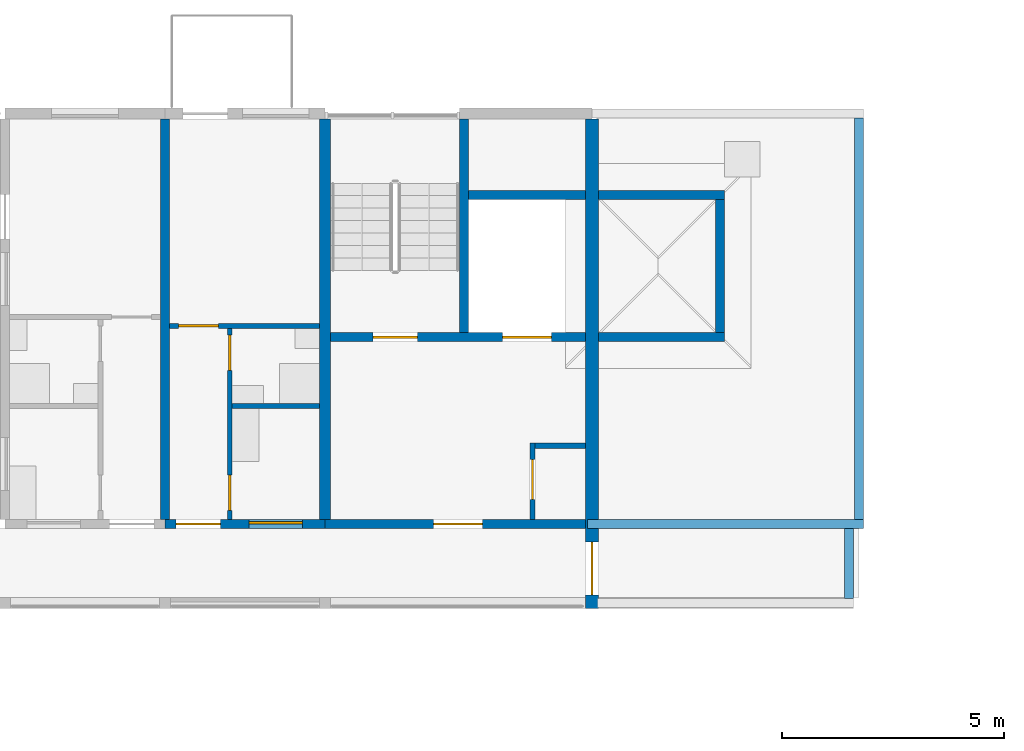
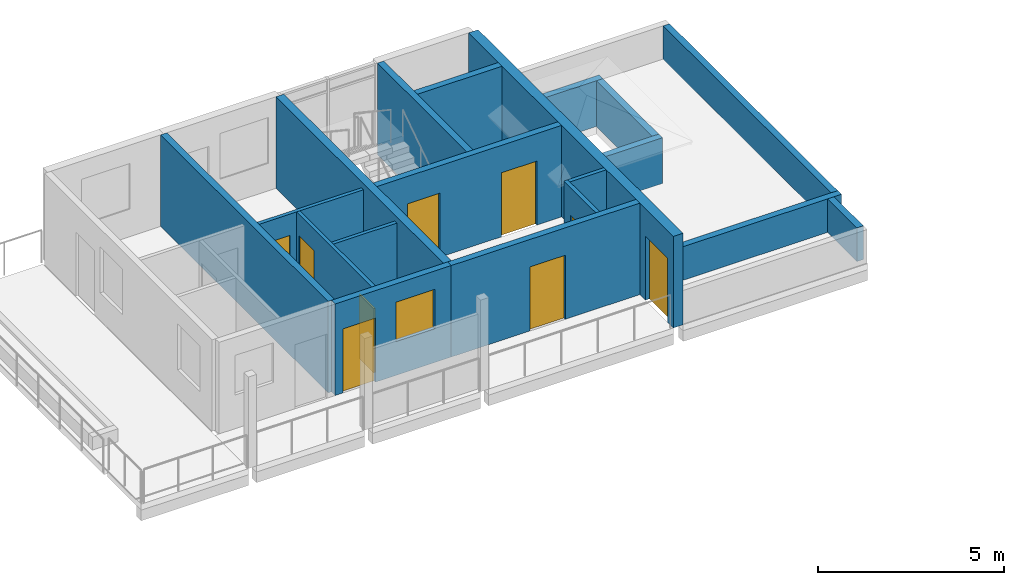
# One storey, part 49 of 78: 19 walls, 9 doors, 1 window, 10 openings.
"""IFC4 building model written with IfcOpenShell, lengths in metres."""

from ifc_helpers import new_model, si_unit, direction, frame, frame_2d, origin, place, context, subcontext, project, spatial, rectangle, extrude, material, layer, layer_set, type_object, element, fill, save


model = new_model("IFC4")

# Units and contexts
model_context = context("Model", 3, precision=1e-05, world=origin(), true_north=direction((0.0, 1.0)))
body_context = subcontext(model_context, "Body", "Model", "MODEL_VIEW")
ifc_project = project(units=[si_unit("LENGTHUNIT", "METRE"), si_unit("AREAUNIT", "SQUARE_METRE"), si_unit("VOLUMEUNIT", "CUBIC_METRE"), si_unit("PLANEANGLEUNIT", "RADIAN"), si_unit("MASSUNIT", "GRAM", prefix="KILO")], contexts=[model_context])

# Site, building, storey
site_placement = place(None, origin())
site = spatial("IfcSite", under=ifc_project, at=site_placement, CompositionType="ELEMENT")
building_placement = place(site_placement, origin())
building = spatial("IfcBuilding", under=site, at=building_placement, Name="Ridgestep Commons", CompositionType="ELEMENT")
storey_placement = place(building_placement, frame((0.0, 0.0, 30.0)))
storey = spatial("IfcBuildingStorey", under=building, at=storey_placement, Name="L10", CompositionType="ELEMENT", Elevation=30.0)

# Wall
ifc_material_1 = material(Name="Concrete C30/37", Category="concrete")
ifc_layer_1 = layer(ifc_material_1, 0.25)
ifc_layer_set_1 = layer_set([ifc_layer_1], Name="Core cross wall 250")
wall_type_1 = type_object("IfcWallType", Name="Core cross wall 250", PredefinedType="SHEAR", material=ifc_layer_set_1)
wall_1_placement = place(storey_placement, frame((224.800048828125, 68.0, 0.0), z_axis=(0.0, 0.0, 1.0), x_axis=(0.0, 1.0, 0.0)))
element("IfcWall", 1, at=wall_1_placement, inside=storey, type_object=wall_type_1, Name="Cross wall C-10-2248", PredefinedType="SHEAR", context=body_context, shape_type="SweptSolid", body=[
    extrude(rectangle(XDim=9.0, YDim=0.25, at=frame_2d((4.5, 0.0))), origin(), (0.0, 0.0, 1.0), 3.0),
])

# Wall, opening, door
ifc_material_2 = material(Name="Concrete C30/37", Category="concrete")
ifc_layer_2 = layer(ifc_material_2, 0.199951171875)
ifc_layer_set_2 = layer_set([ifc_layer_2], Name="Core south wall 200")
wall_type_2 = type_object("IfcWallType", Name="Core south wall 200", PredefinedType="SHEAR", material=ifc_layer_set_2)
wall_2_placement = place(storey_placement, frame((224.800048828125, 67.89990234375, 0.0), z_axis=(0.0, 0.0, 1.0), x_axis=(1.0, 0.0, 0.0)))
wall_2 = element("IfcWall", 2, at=wall_2_placement, inside=storey, type_object=wall_type_2, Name="Core south wall C5C L10", PredefinedType="SHEAR", context=body_context, shape_type="SweptSolid", body=[
    extrude(rectangle(XDim=5.849853515625, YDim=0.199951171875, at=frame_2d((2.9248046875, 0.0))), origin(), (0.0, 0.0, 1.0), 3.0),
])
opening_1_placement = place(wall_2_placement, frame((2.4375, 0.0, 0.0)))
opening_1 = element("IfcOpeningElement", 3, at=opening_1_placement, cuts=wall_2, Name="Opening C5C/10/1", PredefinedType="OPENING", context=body_context, shape_type="SweptSolid", body=[
    extrude(rectangle(XDim=1.10009765625, YDim=2.10009765625, at=frame_2d((0.550048828125, 1.050048828125))), frame((0.0, 0.10986328125, 0.0), z_axis=(0.0, -1.0, 0.0), x_axis=(1.0, 0.0, 0.0)), (0.0, 0.0, 1.0), 0.219970703125),
])
ifc_material_3 = material(Name="Steel fire door", Category="steel")
door_type_1 = type_object("IfcDoorType", Name="Lobby door 1100 x 2100 FD60", OperationType="NOTDEFINED", PredefinedType="DOOR", material=ifc_material_3)
door_1_placement = place(opening_1_placement, origin())
door_1 = element("IfcDoor", 4, at=door_1_placement, inside=storey, type_object=door_type_1, Name="Lobby door C5C/10/1", OperationType="SINGLE_SWING_LEFT", OverallHeight=2.10009765625, OverallWidth=1.10009765625, PredefinedType="DOOR", context=body_context, shape_type="SweptSolid", body=[
    extrude(rectangle(XDim=1.10009765625, YDim=2.10009765625, at=frame_2d((0.550048828125, 1.050048828125))), frame((0.0, 0.02490234375, 0.0), z_axis=(0.0, -1.0, 0.0), x_axis=(1.0, 0.0, 0.0)), (0.0, 0.0, 1.0), 0.050048828125),
])
fill(opening_1, door_1)

ifc_material_4 = material(Name="Concrete C30/37", Category="concrete")
ifc_layer_3 = layer(ifc_material_4, 0.1201171875)
ifc_layer_set_3 = layer_set([ifc_layer_3], Name="Core wall 120")
wall_type_3 = type_object("IfcWallType", Name="Core wall 120", PredefinedType="SHEAR", material=ifc_layer_set_3)
wall_3_placement = place(storey_placement, frame((229.4599609375, 68.0, 0.0), z_axis=(0.0, 0.0, 1.0), x_axis=(0.0, 1.0, 0.0)))
wall_3 = element("IfcWall", 5, at=wall_3_placement, inside=storey, type_object=wall_type_3, Name="Core riser w wall C5C L10", PredefinedType="SHEAR", context=body_context, shape_type="SweptSolid", body=[
    extrude(rectangle(XDim=1.719970703125, YDim=0.1201171875, at=frame_2d((0.85986328125, 0.0))), origin(), (0.0, 0.0, 1.0), 3.0),
])
opening_2_placement = place(wall_3_placement, frame((0.449951171875, 0.0, 0.0)))
opening_2 = element("IfcOpeningElement", 6, at=opening_2_placement, cuts=wall_3, Name="Opening C5C/10/4", PredefinedType="OPENING", context=body_context, shape_type="SweptSolid", body=[
    extrude(rectangle(XDim=0.89990234375, YDim=2.10009765625, at=frame_2d((0.449951171875, 1.050048828125))), frame((0.0, 0.070068359375, 0.0), z_axis=(0.0, -1.0, 0.0), x_axis=(1.0, 0.0, 0.0)), (0.0, 0.0, 1.0), 0.14013671875),
])
ifc_material_5 = material(Name="Steel fire door", Category="steel")
door_type_2 = type_object("IfcDoorType", Name="Riser door 900 x 2100 FD60", OperationType="NOTDEFINED", PredefinedType="DOOR", material=ifc_material_5)
door_2_placement = place(opening_2_placement, origin())
door_2 = element("IfcDoor", 7, at=door_2_placement, inside=storey, type_object=door_type_2, Name="Riser door C5C/10/4", OperationType="SINGLE_SWING_LEFT", OverallHeight=2.10009765625, OverallWidth=0.89990234375, PredefinedType="DOOR", context=body_context, shape_type="SweptSolid", body=[
    extrude(rectangle(XDim=0.89990234375, YDim=2.10009765625, at=frame_2d((0.449951171875, 1.050048828125))), frame((0.0, 0.02490234375, 0.0), z_axis=(0.0, -1.0, 0.0), x_axis=(1.0, 0.0, 0.0)), (0.0, 0.0, 1.0), 0.050048828125),
])
fill(opening_2, door_2)

# Wall
wall_4_placement = place(storey_placement, frame((229.52001953125, 69.659912109375, 0.0), z_axis=(0.0, 0.0, 1.0), x_axis=(1.0, 0.0, 0.0)))
element("IfcWall", 8, at=wall_4_placement, inside=storey, type_object=wall_type_3, Name="Core riser n wall C5C L10", PredefinedType="SHEAR", context=body_context, shape_type="SweptSolid", body=[
    extrude(rectangle(XDim=1.1298828125, YDim=0.1201171875, at=frame_2d((0.56494140625, 0.0))), origin(), (0.0, 0.0, 1.0), 3.0),
])

# Wall, openings, doors
ifc_material_6 = material(Name="Concrete C30/37", Category="concrete")
ifc_layer_4 = layer(ifc_material_6, 0.199951171875)
ifc_layer_set_4 = layer_set([ifc_layer_4], Name="Core wall 200")
wall_type_4 = type_object("IfcWallType", Name="Core wall 200", PredefinedType="SHEAR", material=ifc_layer_set_4)
wall_5_placement = place(storey_placement, frame((224.925048828125, 72.10009765625, 0.0), z_axis=(0.0, 0.0, 1.0), x_axis=(1.0, 0.0, 0.0)))
wall_5 = element("IfcWall", 9, at=wall_5_placement, inside=storey, type_object=wall_type_4, Name="Core lobby wall C5C L10", PredefinedType="SHEAR", context=body_context, shape_type="SweptSolid", body=[
    extrude(rectangle(XDim=5.724853515625, YDim=0.199951171875, at=frame_2d((2.8623046875, 0.0))), origin(), (0.0, 0.0, 1.0), 3.0),
])
opening_3_placement = place(wall_5_placement, frame((0.949951171875, 0.0, 0.0)))
opening_3 = element("IfcOpeningElement", 10, at=opening_3_placement, cuts=wall_5, Name="Opening C5C/10/2", PredefinedType="OPENING", context=body_context, shape_type="SweptSolid", body=[
    extrude(rectangle(XDim=1.0, YDim=2.10009765625, at=frame_2d((0.5, 1.050048828125))), frame((0.0, 0.10986328125, 0.0), z_axis=(0.0, -1.0, 0.0), x_axis=(1.0, 0.0, 0.0)), (0.0, 0.0, 1.0), 0.219970703125),
])
opening_4_placement = place(wall_5_placement, frame((3.862548828125, 0.0, 0.0)))
opening_4 = element("IfcOpeningElement", 11, at=opening_4_placement, cuts=wall_5, Name="Opening C5C/10/3", PredefinedType="OPENING", context=body_context, shape_type="SweptSolid", body=[
    extrude(rectangle(XDim=1.10009765625, YDim=2.10009765625, at=frame_2d((0.550048828125, 1.050048828125))), frame((0.0, 0.10986328125, 0.0), z_axis=(0.0, -1.0, 0.0), x_axis=(1.0, 0.0, 0.0)), (0.0, 0.0, 1.0), 0.219970703125),
])
ifc_material_7 = material(Name="Stainless steel", Category="steel")
door_type_3 = type_object("IfcDoorType", Name="Lift landing door 1100 x 2100 FD60", OperationType="DOUBLE_DOOR_SLIDING", PredefinedType="DOOR", material=ifc_material_7)
door_3_placement = place(opening_4_placement, origin())
door_3 = element("IfcDoor", 12, at=door_3_placement, inside=storey, type_object=door_type_3, Name="Landing door LD C5C L10", OperationType="DOUBLE_DOOR_SLIDING", OverallHeight=2.10009765625, OverallWidth=1.10009765625, PredefinedType="DOOR", context=body_context, shape_type="SweptSolid", body=[
    extrude(rectangle(XDim=1.10009765625, YDim=2.10009765625, at=frame_2d((0.550048828125, 1.050048828125))), frame((0.0, 0.02490234375, 0.0), z_axis=(0.0, -1.0, 0.0), x_axis=(1.0, 0.0, 0.0)), (0.0, 0.0, 1.0), 0.050048828125),
])
fill(opening_4, door_3)
ifc_material_8 = material(Name="Steel fire door", Category="steel")
door_type_4 = type_object("IfcDoorType", Name="Stair door 1000 x 2100 FD60", OperationType="NOTDEFINED", PredefinedType="DOOR", material=ifc_material_8)
door_4_placement = place(opening_3_placement, origin())
door_4 = element("IfcDoor", 13, at=door_4_placement, inside=storey, type_object=door_type_4, Name="Stair door C5C/10/2", OperationType="SINGLE_SWING_RIGHT", OverallHeight=2.10009765625, OverallWidth=1.0, PredefinedType="DOOR", context=body_context, shape_type="SweptSolid", body=[
    extrude(rectangle(XDim=1.0, YDim=2.10009765625, at=frame_2d((0.5, 1.050048828125))), frame((0.0, 0.02490234375, 0.0), z_axis=(0.0, -1.0, 0.0), x_axis=(1.0, 0.0, 0.0)), (0.0, 0.0, 1.0), 0.050048828125),
])
fill(opening_3, door_4)

# Walls
wall_6_placement = place(storey_placement, frame((227.925048828125, 72.199951171875, 0.0), z_axis=(0.0, 0.0, 1.0), x_axis=(0.0, 1.0, 0.0)))
element("IfcWall", 14, at=wall_6_placement, inside=storey, type_object=wall_type_4, Name="Core stair wall C5C L10", PredefinedType="SHEAR", context=body_context, shape_type="SweptSolid", body=[
    extrude(rectangle(XDim=4.800048828125, YDim=0.199951171875, at=frame_2d((2.39990234375, 0.0))), origin(), (0.0, 0.0, 1.0), 3.0),
])
wall_7_placement = place(storey_placement, frame((228.02490234375, 75.300048828125, 0.0), z_axis=(0.0, 0.0, 1.0), x_axis=(1.0, 0.0, 0.0)))
element("IfcWall", 15, at=wall_7_placement, inside=storey, type_object=wall_type_4, Name="Core duct wall C5C L10", PredefinedType="SHEAR", context=body_context, shape_type="SweptSolid", body=[
    extrude(rectangle(XDim=2.625, YDim=0.199951171875, at=frame_2d((1.3125, 0.0))), origin(), (0.0, 0.0, 1.0), 3.0),
])
ifc_material_9 = material(Name="Precast concrete C40/50", Category="concrete")
ifc_layer_5 = layer(ifc_material_9, 0.199951171875)
ifc_layer_set_5 = layer_set([ifc_layer_5], Name="Cross wall 200")
wall_type_5 = type_object("IfcWallType", Name="Cross wall 200", PredefinedType="SHEAR", material=ifc_layer_set_5)
wall_8_placement = place(storey_placement, frame((221.199951171875, 68.0, 0.0), z_axis=(0.0, 0.0, 1.0), x_axis=(0.0, 1.0, 0.0)))
element("IfcWall", 16, at=wall_8_placement, inside=storey, type_object=wall_type_5, Name="Cross wall C-10-2212", PredefinedType="SHEAR", context=body_context, shape_type="SweptSolid", body=[
    extrude(rectangle(XDim=9.0, YDim=0.199951171875, at=frame_2d((4.5, 0.0))), origin(), (0.0, 0.0, 1.0), 3.0),
])

# Wall, opening, door
ifc_material_10 = material(Name="Precast concrete C40/50", Category="concrete")
ifc_layer_6 = layer(ifc_material_10, 0.300048828125)
ifc_layer_set_6 = layer_set([ifc_layer_6], Name="Exposed division wall 300")
wall_type_6 = type_object("IfcWallType", Name="Exposed division wall 300", PredefinedType="SHEAR", material=ifc_layer_set_6)
wall_9_placement = place(storey_placement, frame((230.800048828125, 66.0, 0.0), z_axis=(0.0, 0.0, 1.0), x_axis=(0.0, 1.0, 0.0)))
wall_9 = element("IfcWall", 17, at=wall_9_placement, inside=storey, type_object=wall_type_6, Name="Cross wall C-10-2308", PredefinedType="SHEAR", context=body_context, shape_type="SweptSolid", body=[
    extrude(rectangle(XDim=11.0, YDim=0.300048828125, at=frame_2d((5.5, 0.0))), origin(), (0.0, 0.0, 1.0), 3.0),
])
opening_5_placement = place(wall_9_placement, frame((0.300048828125, 0.0, 0.0)))
opening_5 = element("IfcOpeningElement", 18, at=opening_5_placement, cuts=wall_9, Name="Opening C/10/G2308", PredefinedType="OPENING", context=body_context, shape_type="SweptSolid", body=[
    extrude(rectangle(XDim=1.199951171875, YDim=2.10009765625, at=frame_2d((0.60009765625, 1.050048828125))), frame((0.0, 0.159912109375, 0.0), z_axis=(0.0, -1.0, 0.0), x_axis=(1.0, 0.0, 0.0)), (0.0, 0.0, 1.0), 0.320068359375),
])
ifc_material_11 = material(Name="Steel fire door", Category="steel")
door_type_5 = type_object("IfcDoorType", Name="Division fire door 1200 x 2100 EI 240", OperationType="DOUBLE_DOOR_SINGLE_SWING", PredefinedType="DOOR", material=ifc_material_11)
door_5_placement = place(opening_5_placement, origin())
door_5 = element("IfcDoor", 19, at=door_5_placement, inside=storey, type_object=door_type_5, Name="Division fire door C/10/G2308", OperationType="DOUBLE_DOOR_SINGLE_SWING", OverallHeight=2.10009765625, OverallWidth=1.199951171875, PredefinedType="DOOR", context=body_context, shape_type="SweptSolid", body=[
    extrude(rectangle(XDim=1.199951171875, YDim=2.10009765625, at=frame_2d((0.60009765625, 1.050048828125))), frame((0.0, 0.02490234375, 0.0), z_axis=(0.0, -1.0, 0.0), x_axis=(1.0, 0.0, 0.0)), (0.0, 0.0, 1.0), 0.050048828125),
])
fill(opening_5, door_5)

# Walls
ifc_material_12 = material(Name="Concrete C30/37", Category="concrete")
ifc_layer_7 = layer(ifc_material_12, 0.199951171875)
ifc_layer_set_7 = layer_set([ifc_layer_7], Name="Lift overrun wall 200")
wall_type_7 = type_object("IfcWallType", Name="Lift overrun wall 200", PredefinedType="SHEAR", material=ifc_layer_set_7)
for number, where, z_axis, x_axis, name in (
    (20, (230.949951171875, 72.10009765625, 0.0), (0.0, 0.0, 1.0), (1.0, 0.0, 0.0), "Lift overrun wall C6C"),
    (21, (230.949951171875, 75.300048828125, 0.0), (0.0, 0.0, 1.0), (1.0, 0.0, 0.0), "Lift overrun wall C6C"),
):
    element("IfcWall", number, at=place(storey_placement, frame(where, z_axis=z_axis, x_axis=x_axis)), inside=storey, type_object=wall_type_7, Name=name, PredefinedType="SHEAR", context=body_context, shape_type="SweptSolid", body=[
        extrude(rectangle(XDim=2.824951171875, YDim=0.199951171875, at=frame_2d((1.41259765625, 0.0))), origin(), (0.0, 0.0, 1.0), 1.5),
    ])
wall_10_placement = place(storey_placement, frame((233.675048828125, 72.199951171875, 0.0), z_axis=(0.0, 0.0, 1.0), x_axis=(0.0, 1.0, 0.0)))
element("IfcWall", 22, at=wall_10_placement, inside=storey, type_object=wall_type_7, Name="Lift overrun wall C6C", PredefinedType="SHEAR", context=body_context, shape_type="SweptSolid", body=[
    extrude(rectangle(XDim=3.0, YDim=0.199951171875, at=frame_2d((1.5, 0.0))), origin(), (0.0, 0.0, 1.0), 1.5),
])
ifc_material_13 = material(Name="Precast concrete C40/50", Category="concrete")
ifc_layer_8 = layer(ifc_material_13, 0.199951171875)
ifc_layer_set_8 = layer_set([ifc_layer_8], Name="Parapet wall 200")
wall_type_8 = type_object("IfcWallType", Name="Parapet wall 200", PredefinedType="PARAPET", material=ifc_layer_set_8)
wall_11_placement = place(storey_placement, frame((230.699951171875, 67.89990234375, 0.0), z_axis=(0.0, 0.0, 1.0), x_axis=(1.0, 0.0, 0.0)))
element("IfcWall", 23, at=wall_11_placement, inside=storey, type_object=wall_type_8, Name="Parapet C6C south", PredefinedType="PARAPET", context=body_context, shape_type="SweptSolid", body=[
    extrude(rectangle(XDim=6.199951171875, YDim=0.199951171875, at=frame_2d((3.10009765625, 0.0))), origin(), (0.0, 0.0, 1.0), 1.10009765625),
])
wall_12_placement = place(storey_placement, frame((236.800048828125, 68.0, 0.0), z_axis=(0.0, 0.0, 1.0), x_axis=(0.0, 1.0, 0.0)))
element("IfcWall", 24, at=wall_12_placement, inside=storey, type_object=wall_type_8, Name="Parapet C6C east", PredefinedType="PARAPET", context=body_context, shape_type="SweptSolid", body=[
    extrude(rectangle(XDim=9.02490234375, YDim=0.199951171875, at=frame_2d((4.512451171875, 0.0))), origin(), (0.0, 0.0, 1.0), 1.10009765625),
])
wall_13_placement = place(storey_placement, frame((236.574951171875, 66.22509765625, 0.0), z_axis=(0.0, 0.0, 1.0), x_axis=(0.0, 1.0, 0.0)))
element("IfcWall", 25, at=wall_13_placement, inside=storey, type_object=wall_type_8, Name="Parapet C6C gallery east", PredefinedType="PARAPET", context=body_context, shape_type="SweptSolid", body=[
    extrude(rectangle(XDim=1.574951171875, YDim=0.199951171875, at=frame_2d((0.78759765625, 0.0))), origin(), (0.0, 0.0, 1.0), 1.10009765625),
])

# Wall, openings, doors
ifc_material_14 = material(Name="Common brick 110 mm", Category="masonry")
ifc_layer_9 = layer(ifc_material_14, 0.110107421875)
ifc_layer_set_9 = layer_set([ifc_layer_9], Name="Partition 110")
wall_type_9 = type_object("IfcWallType", Name="Partition 110", PredefinedType="PARTITIONING", material=ifc_layer_set_9)
wall_14_placement = place(storey_placement, frame((222.655029296875, 68.0, 0.0), z_axis=(0.0, 0.0, 1.0), x_axis=(0.0, 1.0, 0.0)))
wall_14 = element("IfcWall", 26, at=wall_14_placement, inside=storey, type_object=wall_type_9, Name="Partition C5-10b", PredefinedType="PARTITIONING", context=body_context, shape_type="SweptSolid", body=[
    extrude(rectangle(XDim=4.300048828125, YDim=0.110107421875, at=frame_2d((2.14990234375, 0.0))), origin(), (0.0, 0.0, 1.0), 2.800048828125),
])
opening_6_placement = place(wall_14_placement, frame((0.199951171875, 0.0, 0.0)))
opening_6 = element("IfcOpeningElement", 27, at=opening_6_placement, cuts=wall_14, Name="Opening C5-10b/2", PredefinedType="OPENING", context=body_context, shape_type="SweptSolid", body=[
    extrude(rectangle(XDim=0.800048828125, YDim=2.10009765625, at=frame_2d((0.39990234375, 1.050048828125))), frame((0.0, 0.06494140625, 0.0), z_axis=(0.0, -1.0, 0.0), x_axis=(1.0, 0.0, 0.0)), (0.0, 0.0, 1.0), 0.130126953125),
])
opening_7_placement = place(wall_14_placement, frame((3.35009765625, 0.0, 0.0)))
opening_7 = element("IfcOpeningElement", 28, at=opening_7_placement, cuts=wall_14, Name="Opening C5-10b/3", PredefinedType="OPENING", context=body_context, shape_type="SweptSolid", body=[
    extrude(rectangle(XDim=0.800048828125, YDim=2.10009765625, at=frame_2d((0.39990234375, 1.050048828125))), frame((0.0, 0.06494140625, 0.0), z_axis=(0.0, -1.0, 0.0), x_axis=(1.0, 0.0, 0.0)), (0.0, 0.0, 1.0), 0.130126953125),
])
ifc_material_15 = material(Name="Timber door leaf", Category="wood")
door_type_6 = type_object("IfcDoorType", Name="Internal door 800 x 2100", OperationType="NOTDEFINED", PredefinedType="DOOR", material=ifc_material_15)
door_6_placement = place(opening_6_placement, origin())
door_6 = element("IfcDoor", 29, at=door_6_placement, inside=storey, type_object=door_type_6, Name="Internal door C5-10b/2", OperationType="SINGLE_SWING_RIGHT", OverallHeight=2.10009765625, OverallWidth=0.800048828125, PredefinedType="DOOR", context=body_context, shape_type="SweptSolid", body=[
    extrude(rectangle(XDim=0.800048828125, YDim=2.10009765625, at=frame_2d((0.39990234375, 1.050048828125))), frame((0.0, 0.02490234375, 0.0), z_axis=(0.0, -1.0, 0.0), x_axis=(1.0, 0.0, 0.0)), (0.0, 0.0, 1.0), 0.050048828125),
])
fill(opening_6, door_6)
door_7_placement = place(opening_7_placement, origin())
door_7 = element("IfcDoor", 30, at=door_7_placement, inside=storey, type_object=door_type_6, Name="Internal door C5-10b/3", OperationType="SINGLE_SWING_LEFT", OverallHeight=2.10009765625, OverallWidth=0.800048828125, PredefinedType="DOOR", context=body_context, shape_type="SweptSolid", body=[
    extrude(rectangle(XDim=0.800048828125, YDim=2.10009765625, at=frame_2d((0.39990234375, 1.050048828125))), frame((0.0, 0.02490234375, 0.0), z_axis=(0.0, -1.0, 0.0), x_axis=(1.0, 0.0, 0.0)), (0.0, 0.0, 1.0), 0.050048828125),
])
fill(opening_7, door_7)

# Wall
wall_15_placement = place(storey_placement, frame((222.7099609375, 70.554931640625, 0.0), z_axis=(0.0, 0.0, 1.0), x_axis=(1.0, 0.0, 0.0)))
element("IfcWall", 31, at=wall_15_placement, inside=storey, type_object=wall_type_9, Name="Partition C5-10b", PredefinedType="PARTITIONING", context=body_context, shape_type="SweptSolid", body=[
    extrude(rectangle(XDim=1.965087890625, YDim=0.110107421875, at=frame_2d((0.982421875, 0.0))), origin(), (0.0, 0.0, 1.0), 2.800048828125),
])

# Wall, opening, door
wall_16_placement = place(storey_placement, frame((221.300048828125, 72.35498046875, 0.0), z_axis=(0.0, 0.0, 1.0), x_axis=(1.0, 0.0, 0.0)))
wall_16 = element("IfcWall", 32, at=wall_16_placement, inside=storey, type_object=wall_type_9, Name="Partition C5-10b", PredefinedType="PARTITIONING", context=body_context, shape_type="SweptSolid", body=[
    extrude(rectangle(XDim=3.375, YDim=0.110107421875, at=frame_2d((1.6875, 0.0))), origin(), (0.0, 0.0, 1.0), 2.800048828125),
])
opening_8_placement = place(wall_16_placement, frame((0.199951171875, 0.0, 0.0)))
opening_8 = element("IfcOpeningElement", 33, at=opening_8_placement, cuts=wall_16, Name="Opening C5-10b/4", PredefinedType="OPENING", context=body_context, shape_type="SweptSolid", body=[
    extrude(rectangle(XDim=0.89990234375, YDim=2.10009765625, at=frame_2d((0.449951171875, 1.050048828125))), frame((0.0, 0.06494140625, 0.0), z_axis=(0.0, -1.0, 0.0), x_axis=(1.0, 0.0, 0.0)), (0.0, 0.0, 1.0), 0.130126953125),
])
ifc_material_16 = material(Name="Timber door leaf", Category="wood")
door_type_7 = type_object("IfcDoorType", Name="Internal door 900 x 2100", OperationType="NOTDEFINED", PredefinedType="DOOR", material=ifc_material_16)
door_8_placement = place(opening_8_placement, origin())
door_8 = element("IfcDoor", 34, at=door_8_placement, inside=storey, type_object=door_type_7, Name="Internal door C5-10b/4", OperationType="SINGLE_SWING_LEFT", OverallHeight=2.10009765625, OverallWidth=0.89990234375, PredefinedType="DOOR", context=body_context, shape_type="SweptSolid", body=[
    extrude(rectangle(XDim=0.89990234375, YDim=2.10009765625, at=frame_2d((0.449951171875, 1.050048828125))), frame((0.0, 0.02490234375, 0.0), z_axis=(0.0, -1.0, 0.0), x_axis=(1.0, 0.0, 0.0)), (0.0, 0.0, 1.0), 0.050048828125),
])
fill(opening_8, door_8)

# Wall, openings, door, window
ifc_material_17 = material(Name="Precast concrete C40/50", Category="concrete")
ifc_layer_10 = layer(ifc_material_17, 0.199951171875)
ifc_layer_set_10 = layer_set([ifc_layer_10], Name="South facade panel 200")
wall_type_10 = type_object("IfcWallType", Name="South facade panel 200", PredefinedType="SOLIDWALL", material=ifc_layer_set_10)
wall_17_placement = place(storey_placement, frame((221.199951171875, 67.89990234375, 0.0), z_axis=(0.0, 0.0, 1.0), x_axis=(1.0, 0.0, 0.0)))
wall_17 = element("IfcWall", 35, at=wall_17_placement, inside=storey, type_object=wall_type_10, Name="South panel C5T3 L10", PredefinedType="SOLIDWALL", context=body_context, shape_type="SweptSolid", body=[
    extrude(rectangle(XDim=3.60009765625, YDim=0.199951171875, at=frame_2d((1.800048828125, 0.0))), origin(), (0.0, 0.0, 1.0), 3.0),
])
opening_9_placement = place(wall_17_placement, frame((1.892578125, 0.0, 1.10009765625)))
opening_9 = element("IfcOpeningElement", 36, at=opening_9_placement, cuts=wall_17, Name="Opening W08", PredefinedType="OPENING", context=body_context, shape_type="SweptSolid", body=[
    extrude(rectangle(XDim=1.199951171875, YDim=1.300048828125, at=frame_2d((0.60009765625, 0.64990234375))), frame((0.0, 0.10986328125, 0.0), z_axis=(0.0, -1.0, 0.0), x_axis=(1.0, 0.0, 0.0)), (0.0, 0.0, 1.0), 0.219970703125),
])
opening_10_placement = place(wall_17_placement, frame((0.25, 0.0, 0.0)))
opening_10 = element("IfcOpeningElement", 37, at=opening_10_placement, cuts=wall_17, Name="Opening C5-10b/1", PredefinedType="OPENING", context=body_context, shape_type="SweptSolid", body=[
    extrude(rectangle(XDim=1.0, YDim=2.10009765625, at=frame_2d((0.5, 1.050048828125))), frame((0.0, 0.10986328125, 0.0), z_axis=(0.0, -1.0, 0.0), x_axis=(1.0, 0.0, 0.0)), (0.0, 0.0, 1.0), 0.219970703125),
])
ifc_material_18 = material(Name="Timber door leaf", Category="wood")
door_type_8 = type_object("IfcDoorType", Name="Flat entrance door 1000 x 2100 FD30S", OperationType="NOTDEFINED", PredefinedType="DOOR", material=ifc_material_18)
door_9_placement = place(opening_10_placement, origin())
door_9 = element("IfcDoor", 38, at=door_9_placement, inside=storey, type_object=door_type_8, Name="Flat entrance door C5-10b/1", OperationType="SINGLE_SWING_LEFT", OverallHeight=2.10009765625, OverallWidth=1.0, PredefinedType="DOOR", context=body_context, shape_type="SweptSolid", body=[
    extrude(rectangle(XDim=1.0, YDim=2.10009765625, at=frame_2d((0.5, 1.050048828125))), frame((0.0, 0.02490234375, 0.0), z_axis=(0.0, -1.0, 0.0), x_axis=(1.0, 0.0, 0.0)), (0.0, 0.0, 1.0), 0.050048828125),
])
fill(opening_10, door_9)
ifc_material_19 = material(Name="Aluminium 6063-T6 and glass", Category="aluminium")
window_type = type_object("IfcWindowType", Name="Flat window 1200 x 1300", PartitioningType="SINGLE_PANEL", PredefinedType="WINDOW", material=ifc_material_19)
window_placement = place(opening_9_placement, origin())
window = element("IfcWindow", 39, at=window_placement, inside=storey, type_object=window_type, Name="Window C5-10b 1", OverallHeight=1.300048828125, OverallWidth=1.199951171875, PartitioningType="SINGLE_PANEL", PredefinedType="WINDOW", context=body_context, shape_type="SweptSolid", body=[
    extrude(rectangle(XDim=1.199951171875, YDim=1.300048828125, at=frame_2d((0.60009765625, 0.64990234375))), frame((0.0, 0.06005859375, 0.0), z_axis=(0.0, -1.0, 0.0), x_axis=(1.0, 0.0, 0.0)), (0.0, 0.0, 1.0), 0.06005859375),
])
fill(opening_9, window)

save(model, "model.ifc")
